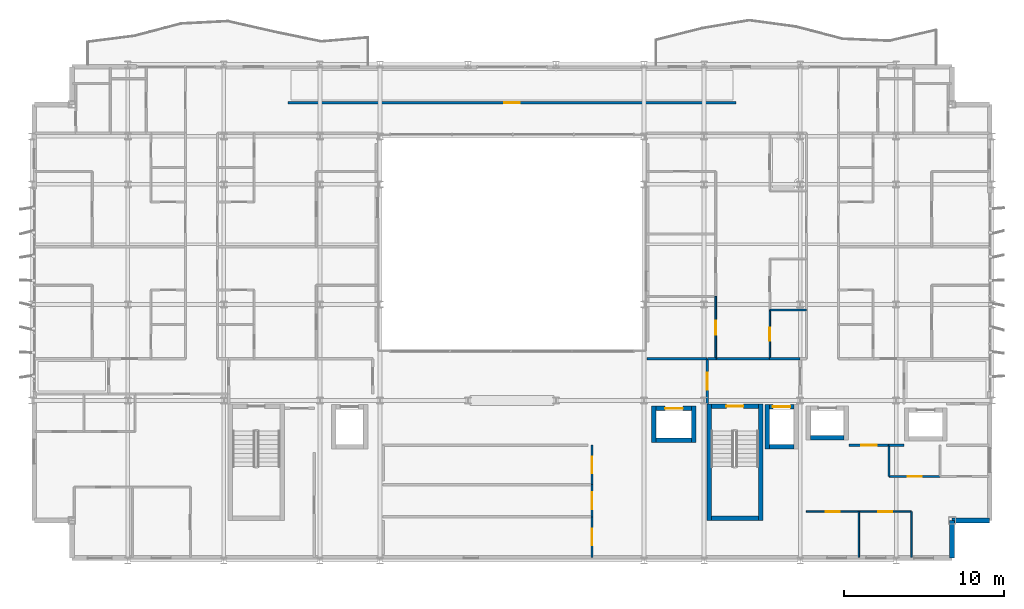
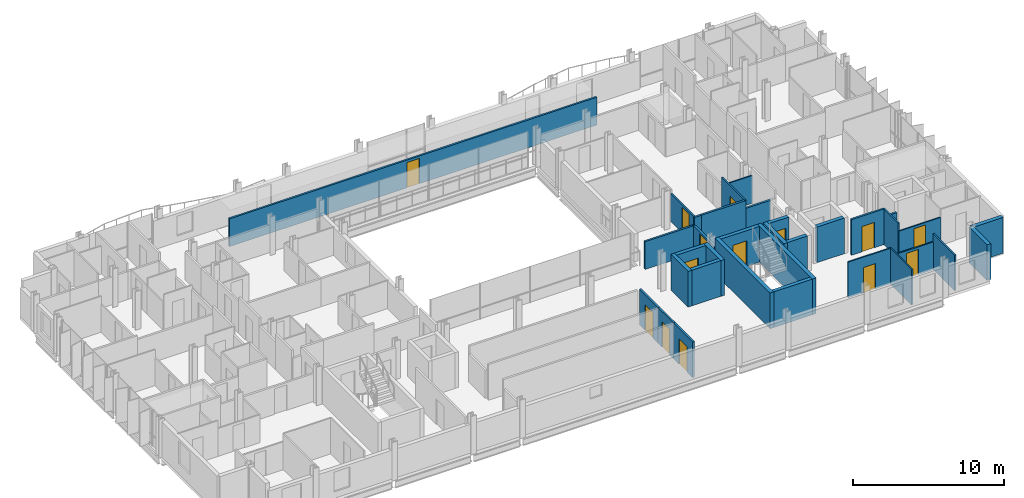
# One storey, part 30 of 39: 34 walls, 14 doors, 14 openings.
"""IFC4 building model written with IfcOpenShell, lengths in metres."""

from ifc_helpers import new_model, si_unit, direction, frame, frame_2d, origin, place, context, subcontext, project, spatial, rectangle, extrude, material, layer, layer_set, type_object, element, fill, save


model = new_model("IFC4")

# Units and contexts
model_context = context("Model", 3, precision=1e-05, world=origin(), true_north=direction((0.0, 1.0)))
body_context = subcontext(model_context, "Body", "Model", "MODEL_VIEW")
ifc_project = project(units=[si_unit("LENGTHUNIT", "METRE"), si_unit("AREAUNIT", "SQUARE_METRE"), si_unit("VOLUMEUNIT", "CUBIC_METRE"), si_unit("PLANEANGLEUNIT", "RADIAN"), si_unit("MASSUNIT", "GRAM", prefix="KILO")], contexts=[model_context])

# Site, building, storey
site_placement = place(None, origin())
site = spatial("IfcSite", under=ifc_project, at=site_placement, CompositionType="ELEMENT")
building_placement = place(site_placement, origin())
building = spatial("IfcBuilding", under=site, at=building_placement, Name="Brevholm Reach", CompositionType="ELEMENT")
storey_placement = place(building_placement, frame((0.0, 0.0, 115.89990234375)))
storey = spatial("IfcBuildingStorey", under=building, at=storey_placement, Name="L34", CompositionType="ELEMENT", Elevation=115.89990234375)

# Walls
ifc_material_1 = material(Name="Concrete C50/60", Category="concrete")
ifc_layer_1 = layer(ifc_material_1, 0.280029296875)
ifc_layer_set_1 = layer_set([ifc_layer_1], Name="Concrete C50/60")
wall_type_1 = type_object("IfcWallType", Name="WAL-COR-280", PredefinedType="SHEAR", material=ifc_layer_set_1)
for number, where, z_axis, x_axis, name in (
    (1, (42.31005859375, 2.5, 0.0), (0.0, 0.0, 1.0), (0.0, 1.0, 0.0), "L34 Escape Stair ST-2 Core Wall W"),
    (2, (45.5400390625, 2.5, 0.0), (0.0, 0.0, 1.0), (0.0, 1.0, 0.0), "L34 Escape Stair ST-2 Core Wall E"),
):
    element("IfcWall", number, at=place(storey_placement, frame(where, z_axis=z_axis, x_axis=x_axis)), inside=storey, type_object=wall_type_1, Name=name, PredefinedType="SHEAR", context=body_context, shape_type="SweptSolid", body=[
        extrude(rectangle(XDim=7.280029296875, YDim=0.280029296875, at=frame_2d((3.64013671875, 0.0))), origin(), (0.0, 0.0, 1.0), 2.880126953125),
    ])
wall_1_placement = place(storey_placement, frame((42.449951171875, 2.639892578125, 0.0), z_axis=(0.0, 0.0, 1.0), x_axis=(1.0, 0.0, 0.0)))
element("IfcWall", 3, at=wall_1_placement, inside=storey, type_object=wall_type_1, Name="L34 Escape Stair ST-2 Core Wall S", PredefinedType="SHEAR", context=body_context, shape_type="SweptSolid", body=[
    extrude(rectangle(XDim=2.949951171875, YDim=0.280029296875, at=frame_2d((1.47509765625, 0.0))), origin(), (0.0, 0.0, 1.0), 2.880126953125),
])

# Wall, opening, door
wall_2_placement = place(storey_placement, frame((45.39990234375, 9.639892578125, 0.0), z_axis=(0.0, 0.0, 1.0), x_axis=(-1.0, 0.0, 0.0)))
wall_2 = element("IfcWall", 4, at=wall_2_placement, inside=storey, type_object=wall_type_1, Name="L34 Escape Stair ST-2 Core Wall N", PredefinedType="SHEAR", context=body_context, shape_type="SweptSolid", body=[
    extrude(rectangle(XDim=2.949951171875, YDim=0.280029296875, at=frame_2d((1.47509765625, 0.0))), origin(), (0.0, 0.0, 1.0), 2.880126953125),
])
opening_1_placement = place(wall_2_placement, frame((0.949951171875, 0.0, 0.0)))
opening_1 = element("IfcOpeningElement", 5, at=opening_1_placement, cuts=wall_2, Name="Opening SD-ST-2", PredefinedType="OPENING", context=body_context, shape_type="SweptSolid", body=[
    extrude(rectangle(XDim=1.050048828125, YDim=2.06005859375, at=frame_2d((0.52490234375, 1.030029296875))), frame((0.0, 0.14990234375, 0.0), z_axis=(0.0, -1.0, 0.0), x_axis=(1.0, 0.0, 0.0)), (0.0, 0.0, 1.0), 0.300048828125),
])
ifc_material_2 = material(Name="Hardwood-Lipped Steel-Core Fire and Smoke Door", Category="steel")
door_type_1 = type_object("IfcDoorType", Name="DOR-INT-FD60S", OperationType="NOTDEFINED", PredefinedType="DOOR", material=ifc_material_2)
door_1_placement = place(opening_1_placement, origin())
door_1 = element("IfcDoor", 6, at=door_1_placement, inside=storey, type_object=door_type_1, Name="L34 Protected Stair ST-2 Lobby Door", OperationType="SINGLE_SWING_LEFT", OverallHeight=2.06005859375, OverallWidth=1.050048828125, PredefinedType="DOOR", context=body_context, shape_type="SweptSolid", body=[
    extrude(rectangle(XDim=1.050048828125, YDim=2.06005859375, at=frame_2d((0.52490234375, 1.030029296875))), frame((0.0, 0.02490234375, 0.0), z_axis=(0.0, -1.0, 0.0), x_axis=(1.0, 0.0, 0.0)), (0.0, 0.0, 1.0), 0.050048828125),
])
fill(opening_1, door_1)

# Walls
wall_3_placement = place(storey_placement, frame((45.949951171875, 6.9599609375, 0.0), z_axis=(0.0, 0.0, 1.0), x_axis=(0.0, 1.0, 0.0)))
element("IfcWall", 7, at=wall_3_placement, inside=storey, type_object=wall_type_1, Name="L34 Lift FFL-2 Shaft Wall W", PredefinedType="SHEAR", context=body_context, shape_type="SweptSolid", body=[
    extrude(rectangle(XDim=2.780029296875, YDim=0.280029296875, at=frame_2d((1.39013671875, 0.0))), origin(), (0.0, 0.0, 1.0), 2.880126953125),
])
wall_4_placement = place(storey_placement, frame((46.090087890625, 7.10009765625, 0.0), z_axis=(0.0, 0.0, 1.0), x_axis=(1.0, 0.0, 0.0)))
element("IfcWall", 8, at=wall_4_placement, inside=storey, type_object=wall_type_1, Name="L34 Lift FFL-2 Shaft Wall S", PredefinedType="SHEAR", context=body_context, shape_type="SweptSolid", body=[
    extrude(rectangle(XDim=1.52001953125, YDim=0.280029296875, at=frame_2d((0.760009765625, 0.0))), origin(), (0.0, 0.0, 1.0), 2.880126953125),
])

# Wall, opening, door
wall_5_placement = place(storey_placement, frame((46.090087890625, 9.60009765625, 0.0), z_axis=(0.0, 0.0, 1.0), x_axis=(1.0, 0.0, 0.0)))
wall_5 = element("IfcWall", 9, at=wall_5_placement, inside=storey, type_object=wall_type_1, Name="L34 Lift FFL-2 Shaft Wall N", PredefinedType="SHEAR", context=body_context, shape_type="SweptSolid", body=[
    extrude(rectangle(XDim=1.52001953125, YDim=0.280029296875, at=frame_2d((0.760009765625, 0.0))), origin(), (0.0, 0.0, 1.0), 2.880126953125),
])
opening_2_placement = place(wall_5_placement, frame((0.2099609375, 0.0, 0.0)))
opening_2 = element("IfcOpeningElement", 10, at=opening_2_placement, cuts=wall_5, Name="Opening LD-FFL-2", PredefinedType="OPENING", context=body_context, shape_type="SweptSolid", body=[
    extrude(rectangle(XDim=1.10009765625, YDim=2.06005859375, at=frame_2d((0.550048828125, 1.030029296875))), frame((0.0, 0.14990234375, 0.0), z_axis=(0.0, -1.0, 0.0), x_axis=(1.0, 0.0, 0.0)), (0.0, 0.0, 1.0), 0.300048828125),
])
ifc_material_3 = material(Name="Brushed Stainless Steel Fire-Rated Sliding Lift Door", Category="steel")
door_type_2 = type_object("IfcDoorType", Name="DOR-LFT-1100", OperationType="NOTDEFINED", PredefinedType="DOOR", material=ifc_material_3)
door_2_placement = place(opening_2_placement, origin())
door_2 = element("IfcDoor", 11, at=door_2_placement, inside=storey, type_object=door_type_2, Name="L34 Lift FFL-2 Sliding Landing Door", OperationType="SLIDING_TO_LEFT", OverallHeight=2.06005859375, OverallWidth=1.10009765625, PredefinedType="DOOR", context=body_context, shape_type="SweptSolid", body=[
    extrude(rectangle(XDim=1.10009765625, YDim=2.06005859375, at=frame_2d((0.550048828125, 1.030029296875))), frame((0.0, 0.02490234375, 0.0), z_axis=(0.0, -1.0, 0.0), x_axis=(1.0, 0.0, 0.0)), (0.0, 0.0, 1.0), 0.050048828125),
])
fill(opening_2, door_2)

# Walls
wall_6_placement = place(storey_placement, frame((48.6650390625, 7.675048828125, 0.0), z_axis=(0.0, 0.0, 1.0), x_axis=(1.0, 0.0, 0.0)))
element("IfcWall", 12, at=wall_6_placement, inside=storey, type_object=wall_type_1, Name="L34 Lift PL-L1 Shaft Wall S", PredefinedType="SHEAR", context=body_context, shape_type="SweptSolid", body=[
    extrude(rectangle(XDim=2.070068359375, YDim=0.280029296875, at=frame_2d((1.03515625, 0.0))), origin(), (0.0, 0.0, 1.0), 2.880126953125),
])
for number, where, z_axis, x_axis, name in (
    (13, (38.8701171875, 7.360107421875, 0.0), (0.0, 0.0, 1.0), (0.0, 1.0, 0.0), "L34 Lift PL-S1 Shaft Wall W"),
    (14, (41.3701171875, 7.360107421875, 0.0), (0.0, 0.0, 1.0), (0.0, 1.0, 0.0), "L34 Lift PL-S1 Shaft Wall E"),
):
    element("IfcWall", number, at=place(storey_placement, frame(where, z_axis=z_axis, x_axis=x_axis)), inside=storey, type_object=wall_type_1, Name=name, PredefinedType="SHEAR", context=body_context, shape_type="SweptSolid", body=[
        extrude(rectangle(XDim=2.27978515625, YDim=0.280029296875, at=frame_2d((1.139892578125, 0.0))), origin(), (0.0, 0.0, 1.0), 2.880126953125),
    ])
wall_7_placement = place(storey_placement, frame((39.010009765625, 7.5, 0.0), z_axis=(0.0, 0.0, 1.0), x_axis=(1.0, 0.0, 0.0)))
element("IfcWall", 15, at=wall_7_placement, inside=storey, type_object=wall_type_1, Name="L34 Lift PL-S1 Shaft Wall S", PredefinedType="SHEAR", context=body_context, shape_type="SweptSolid", body=[
    extrude(rectangle(XDim=2.219970703125, YDim=0.280029296875, at=frame_2d((1.10986328125, 0.0))), origin(), (0.0, 0.0, 1.0), 2.880126953125),
])

# Wall, opening, door
wall_8_placement = place(storey_placement, frame((39.010009765625, 9.5, 0.0), z_axis=(0.0, 0.0, 1.0), x_axis=(1.0, 0.0, 0.0)))
wall_8 = element("IfcWall", 16, at=wall_8_placement, inside=storey, type_object=wall_type_1, Name="L34 Lift PL-S1 Shaft Wall N", PredefinedType="SHEAR", context=body_context, shape_type="SweptSolid", body=[
    extrude(rectangle(XDim=2.219970703125, YDim=0.280029296875, at=frame_2d((1.10986328125, 0.0))), origin(), (0.0, 0.0, 1.0), 2.880126953125),
])
opening_3_placement = place(wall_8_placement, frame((0.56005859375, 0.0, 0.0)))
opening_3 = element("IfcOpeningElement", 17, at=opening_3_placement, cuts=wall_8, Name="Opening LD-PL-S1", PredefinedType="OPENING", context=body_context, shape_type="SweptSolid", body=[
    extrude(rectangle(XDim=1.10009765625, YDim=2.06005859375, at=frame_2d((0.550048828125, 1.030029296875))), frame((0.0, 0.14990234375, 0.0), z_axis=(0.0, -1.0, 0.0), x_axis=(1.0, 0.0, 0.0)), (0.0, 0.0, 1.0), 0.300048828125),
])
door_3_placement = place(opening_3_placement, origin())
door_3 = element("IfcDoor", 18, at=door_3_placement, inside=storey, type_object=door_type_2, Name="L34 Lift PL-S1 Sliding Landing Door", OperationType="SLIDING_TO_RIGHT", OverallHeight=2.06005859375, OverallWidth=1.10009765625, PredefinedType="DOOR", context=body_context, shape_type="SweptSolid", body=[
    extrude(rectangle(XDim=1.10009765625, YDim=2.06005859375, at=frame_2d((0.550048828125, 1.030029296875))), frame((0.0, 0.02490234375, 0.0), z_axis=(0.0, -1.0, 0.0), x_axis=(1.0, 0.0, 0.0)), (0.0, 0.0, 1.0), 0.050048828125),
])
fill(opening_3, door_3)

# Walls
ifc_material_4 = material(Name="Concrete C40/50", Category="concrete")
ifc_layer_2 = layer(ifc_material_4, 0.300048828125)
ifc_layer_set_2 = layer_set([ifc_layer_2], Name="Concrete C40/50")
wall_type_2 = type_object("IfcWallType", Name="WAL-EXT-300", PredefinedType="STANDARD", material=ifc_layer_set_2)
for number, where, z_axis, x_axis, name in (
    (19, (57.5, 0.14990234375, 0.0), (0.0, 0.0, 1.0), (0.0, 1.0, 0.0), "L34 Facade Wall WAL-L34-CSE1"),
    (20, (57.5, 2.5, 0.0), (0.0, 0.0, 1.0), (1.0, 0.0, 0.0), "L34 Facade Wall WAL-L34-CSE2"),
):
    element("IfcWall", number, at=place(storey_placement, frame(where, z_axis=z_axis, x_axis=x_axis)), inside=storey, type_object=wall_type_2, Name=name, PredefinedType="STANDARD", context=body_context, shape_type="SweptSolid", body=[
        extrude(rectangle(XDim=2.35009765625, YDim=0.300048828125, at=frame_2d((1.175048828125, 0.0))), origin(), (0.0, 0.0, 1.0), 2.880126953125),
    ])

# Wall, opening, door
ifc_material_5 = material(Name="Moisture-Resistant Acoustic Gypsum Stud Partition 100 mm", Category="gypsum")
ifc_layer_3 = layer(ifc_material_5, 0.10009765625)
ifc_layer_set_3 = layer_set([ifc_layer_3], Name="Moisture-Resistant Acoustic Gypsum Stud Partition 100 mm")
wall_type_3 = type_object("IfcWallType", Name="WAL-PRT-100", PredefinedType="PARTITIONING", material=ifc_layer_set_3)
wall_9_placement = place(storey_placement, frame((53.55810546875, 5.25, 0.0), z_axis=(0.0, 0.0, 1.0), x_axis=(1.0, 0.0, 0.0)))
wall_9 = element("IfcWall", 21, at=wall_9_placement, inside=storey, type_object=wall_type_3, Name="L34 Internal Partition 081", PredefinedType="PARTITIONING", context=body_context, shape_type="SweptSolid", body=[
    extrude(rectangle(XDim=3.18798828125, YDim=0.10009765625, at=frame_2d((1.593994140625, 0.0))), origin(), (0.0, 0.0, 1.0), 2.242919921875),
])
opening_4_placement = place(wall_9_placement, frame((1.154052734375, 0.0, 0.0)))
opening_4 = element("IfcOpeningElement", 22, at=opening_4_placement, cuts=wall_9, Name="Opening ID-01", PredefinedType="OPENING", context=body_context, shape_type="SweptSolid", body=[
    extrude(rectangle(XDim=0.8798828125, YDim=2.0400390625, at=frame_2d((0.43994140625, 1.02001953125))), frame((0.0, 0.06005859375, 0.0), z_axis=(0.0, -1.0, 0.0), x_axis=(1.0, 0.0, 0.0)), (0.0, 0.0, 1.0), 0.1201171875),
])
ifc_material_6 = material(Name="Lacquered Ash Solid-Core Acoustic Internal Door", Category="timber")
door_type_3 = type_object("IfcDoorType", Name="DOR-INT-880", OperationType="NOTDEFINED", PredefinedType="DOOR", material=ifc_material_6)
door_4_placement = place(opening_4_placement, origin())
door_4 = element("IfcDoor", 23, at=door_4_placement, inside=storey, type_object=door_type_3, Name="L34 Internal Door 029", OperationType="SINGLE_SWING_LEFT", OverallHeight=2.0400390625, OverallWidth=0.8798828125, PredefinedType="DOOR", context=body_context, shape_type="SweptSolid", body=[
    extrude(rectangle(XDim=0.8798828125, YDim=2.0400390625, at=frame_2d((0.43994140625, 1.02001953125))), frame((0.0, 0.02490234375, 0.0), z_axis=(0.0, -1.0, 0.0), x_axis=(1.0, 0.0, 0.0)), (0.0, 0.0, 1.0), 0.050048828125),
])
fill(opening_4, door_4)

# Walls
wall_10_placement = place(storey_placement, frame((53.55810546875, 5.25, 0.0), z_axis=(0.0, 0.0, 1.0), x_axis=(0.0, 1.0, 0.0)))
element("IfcWall", 24, at=wall_10_placement, inside=storey, type_object=wall_type_3, Name="L34 Internal Partition 082", PredefinedType="PARTITIONING", context=body_context, shape_type="SweptSolid", body=[
    extrude(rectangle(XDim=1.946044921875, YDim=0.10009765625, at=frame_2d((0.97314453125, 0.0))), origin(), (0.0, 0.0, 1.0), 2.880126953125),
])
wall_11_placement = place(storey_placement, frame((51.675048828125, 0.199951171875, 0.0), z_axis=(0.0, 0.0, 1.0), x_axis=(0.0, 1.0, 0.0)))
element("IfcWall", 25, at=wall_11_placement, inside=storey, type_object=wall_type_3, Name="L34 Internal Partition 083", PredefinedType="PARTITIONING", context=body_context, shape_type="SweptSolid", body=[
    extrude(rectangle(XDim=2.85009765625, YDim=0.10009765625, at=frame_2d((1.425048828125, 0.0))), origin(), (0.0, 0.0, 1.0), 2.880126953125),
])

# Wall, opening, door
wall_12_placement = place(storey_placement, frame((48.39990234375, 3.050048828125, 0.0), z_axis=(0.0, 0.0, 1.0), x_axis=(1.0, 0.0, 0.0)))
wall_12 = element("IfcWall", 26, at=wall_12_placement, inside=storey, type_object=wall_type_3, Name="L34 Internal Partition 084", PredefinedType="PARTITIONING", context=body_context, shape_type="SweptSolid", body=[
    extrude(rectangle(XDim=3.275146484375, YDim=0.10009765625, at=frame_2d((1.6376953125, 0.0))), origin(), (0.0, 0.0, 1.0), 2.880126953125),
])
opening_5_placement = place(wall_12_placement, frame((1.197509765625, 0.0, 0.0)))
opening_5 = element("IfcOpeningElement", 27, at=opening_5_placement, cuts=wall_12, Name="Opening ID-01", PredefinedType="OPENING", context=body_context, shape_type="SweptSolid", body=[
    extrude(rectangle(XDim=0.8798828125, YDim=2.0400390625, at=frame_2d((0.43994140625, 1.02001953125))), frame((0.0, 0.06005859375, 0.0), z_axis=(0.0, -1.0, 0.0), x_axis=(1.0, 0.0, 0.0)), (0.0, 0.0, 1.0), 0.1201171875),
])
door_5_placement = place(opening_5_placement, origin())
door_5 = element("IfcDoor", 28, at=door_5_placement, inside=storey, type_object=door_type_3, Name="L34 Internal Door 030", OperationType="SINGLE_SWING_RIGHT", OverallHeight=2.0400390625, OverallWidth=0.8798828125, PredefinedType="DOOR", context=body_context, shape_type="SweptSolid", body=[
    extrude(rectangle(XDim=0.8798828125, YDim=2.0400390625, at=frame_2d((0.43994140625, 1.02001953125))), frame((0.0, 0.02490234375, 0.0), z_axis=(0.0, -1.0, 0.0), x_axis=(1.0, 0.0, 0.0)), (0.0, 0.0, 1.0), 0.050048828125),
])
fill(opening_5, door_5)

# Wall
wall_13_placement = place(storey_placement, frame((54.949951171875, 0.199951171875, 0.0), z_axis=(0.0, 0.0, 1.0), x_axis=(0.0, 1.0, 0.0)))
element("IfcWall", 29, at=wall_13_placement, inside=storey, type_object=wall_type_3, Name="L34 Internal Partition 085", PredefinedType="PARTITIONING", context=body_context, shape_type="SweptSolid", body=[
    extrude(rectangle(XDim=2.85009765625, YDim=0.10009765625, at=frame_2d((1.425048828125, 0.0))), origin(), (0.0, 0.0, 1.0), 2.880126953125),
])

# Wall, opening, door
wall_14_placement = place(storey_placement, frame((51.678955078125, 3.050048828125, 0.0), z_axis=(0.0, 0.0, 1.0), x_axis=(1.0, 0.0, 0.0)))
wall_14 = element("IfcWall", 30, at=wall_14_placement, inside=storey, type_object=wall_type_3, Name="L34 Internal Partition 086", PredefinedType="PARTITIONING", context=body_context, shape_type="SweptSolid", body=[
    extrude(rectangle(XDim=3.27099609375, YDim=0.10009765625, at=frame_2d((1.635498046875, 0.0))), origin(), (0.0, 0.0, 1.0), 2.242919921875),
])
opening_6_placement = place(wall_14_placement, frame((1.195556640625, 0.0, 0.0)))
opening_6 = element("IfcOpeningElement", 31, at=opening_6_placement, cuts=wall_14, Name="Opening ID-01", PredefinedType="OPENING", context=body_context, shape_type="SweptSolid", body=[
    extrude(rectangle(XDim=0.8798828125, YDim=2.0400390625, at=frame_2d((0.43994140625, 1.02001953125))), frame((0.0, 0.06005859375, 0.0), z_axis=(0.0, -1.0, 0.0), x_axis=(1.0, 0.0, 0.0)), (0.0, 0.0, 1.0), 0.1201171875),
])
door_6_placement = place(opening_6_placement, origin())
door_6 = element("IfcDoor", 32, at=door_6_placement, inside=storey, type_object=door_type_3, Name="L34 Internal Door 031", OperationType="SINGLE_SWING_LEFT", OverallHeight=2.0400390625, OverallWidth=0.8798828125, PredefinedType="DOOR", context=body_context, shape_type="SweptSolid", body=[
    extrude(rectangle(XDim=0.8798828125, YDim=2.0400390625, at=frame_2d((0.43994140625, 1.02001953125))), frame((0.0, 0.02490234375, 0.0), z_axis=(0.0, -1.0, 0.0), x_axis=(1.0, 0.0, 0.0)), (0.0, 0.0, 1.0), 0.050048828125),
])
fill(opening_6, door_6)

# Wall
wall_15_placement = place(storey_placement, frame((46.112060546875, 15.64990234375, 0.0), z_axis=(0.0, 0.0, 1.0), x_axis=(1.0, 0.0, 0.0)))
element("IfcWall", 33, at=wall_15_placement, inside=storey, type_object=wall_type_3, Name="L34 Internal Partition 120", PredefinedType="PARTITIONING", context=body_context, shape_type="SweptSolid", body=[
    extrude(rectangle(XDim=2.283935546875, YDim=0.10009765625, at=frame_2d((1.14208984375, 0.0))), origin(), (0.0, 0.0, 1.0), 2.242919921875),
])

# Wall, opening, door
wall_16_placement = place(storey_placement, frame((46.112060546875, 12.60400390625, 0.0), z_axis=(0.0, 0.0, 1.0), x_axis=(0.0, 1.0, 0.0)))
wall_16 = element("IfcWall", 34, at=wall_16_placement, inside=storey, type_object=wall_type_3, Name="L34 Internal Partition 121", PredefinedType="PARTITIONING", context=body_context, shape_type="SweptSolid", body=[
    extrude(rectangle(XDim=3.0458984375, YDim=0.10009765625, at=frame_2d((1.52294921875, 0.0))), origin(), (0.0, 0.0, 1.0), 2.880126953125),
])
opening_7_placement = place(wall_16_placement, frame((1.113037109375, 0.0, 0.0)))
opening_7 = element("IfcOpeningElement", 35, at=opening_7_placement, cuts=wall_16, Name="Opening ID-03", PredefinedType="OPENING", context=body_context, shape_type="SweptSolid", body=[
    extrude(rectangle(XDim=0.820068359375, YDim=2.02001953125, at=frame_2d((0.41015625, 1.010009765625))), frame((0.0, 0.06005859375, 0.0), z_axis=(0.0, -1.0, 0.0), x_axis=(1.0, 0.0, 0.0)), (0.0, 0.0, 1.0), 0.1201171875),
])
ifc_material_7 = material(Name="Moisture-Resistant Painted Timber Internal Bathroom Door", Category="wood")
door_type_4 = type_object("IfcDoorType", Name="DOR-BATH-820", OperationType="NOTDEFINED", PredefinedType="DOOR", material=ifc_material_7)
door_7_placement = place(opening_7_placement, origin())
door_7 = element("IfcDoor", 36, at=door_7_placement, inside=storey, type_object=door_type_4, Name="L34 Internal Door 044", OperationType="SINGLE_SWING_RIGHT", OverallHeight=2.02001953125, OverallWidth=0.820068359375, PredefinedType="DOOR", context=body_context, shape_type="SweptSolid", body=[
    extrude(rectangle(XDim=0.820068359375, YDim=2.02001953125, at=frame_2d((0.41015625, 1.010009765625))), frame((0.0, 0.02490234375, 0.0), z_axis=(0.0, -1.0, 0.0), x_axis=(1.0, 0.0, 0.0)), (0.0, 0.0, 1.0), 0.050048828125),
])
fill(opening_7, door_7)

wall_17_placement = place(storey_placement, frame((42.72802734375, 12.60400390625, 0.0), z_axis=(0.0, 0.0, 1.0), x_axis=(0.0, 1.0, 0.0)))
wall_17 = element("IfcWall", 37, at=wall_17_placement, inside=storey, type_object=wall_type_3, Name="L34 Internal Partition 127", PredefinedType="PARTITIONING", context=body_context, shape_type="SweptSolid", body=[
    extrude(rectangle(XDim=3.89599609375, YDim=0.10009765625, at=frame_2d((1.947998046875, 0.0))), origin(), (0.0, 0.0, 1.0), 2.242919921875),
])
opening_8_placement = place(wall_17_placement, frame((1.508056640625, 0.0, 0.0)))
opening_8 = element("IfcOpeningElement", 38, at=opening_8_placement, cuts=wall_17, Name="Opening ID-01", PredefinedType="OPENING", context=body_context, shape_type="SweptSolid", body=[
    extrude(rectangle(XDim=0.8798828125, YDim=2.0400390625, at=frame_2d((0.43994140625, 1.02001953125))), frame((0.0, 0.06005859375, 0.0), z_axis=(0.0, -1.0, 0.0), x_axis=(1.0, 0.0, 0.0)), (0.0, 0.0, 1.0), 0.1201171875),
])
door_8_placement = place(opening_8_placement, origin())
door_8 = element("IfcDoor", 39, at=door_8_placement, inside=storey, type_object=door_type_3, Name="L34 Internal Door 047", OperationType="SINGLE_SWING_LEFT", OverallHeight=2.0400390625, OverallWidth=0.8798828125, PredefinedType="DOOR", context=body_context, shape_type="SweptSolid", body=[
    extrude(rectangle(XDim=0.8798828125, YDim=2.0400390625, at=frame_2d((0.43994140625, 1.02001953125))), frame((0.0, 0.02490234375, 0.0), z_axis=(0.0, -1.0, 0.0), x_axis=(1.0, 0.0, 0.0)), (0.0, 0.0, 1.0), 0.050048828125),
])
fill(opening_8, door_8)

ifc_material_8 = material(Name="Twin-Stud Acoustic Fire-Rated Gypsum Partition 140 mm", Category="gypsum")
ifc_layer_4 = layer(ifc_material_8, 0.139892578125)
ifc_layer_set_4 = layer_set([ifc_layer_4], Name="Twin-Stud Acoustic Fire-Rated Gypsum Partition 140 mm")
wall_type_4 = type_object("IfcWallType", Name="WAL-PRT-140", PredefinedType="PARTITIONING", material=ifc_layer_set_4)
wall_18_placement = place(storey_placement, frame((35.0, 0.179931640625, 0.0), z_axis=(0.0, 0.0, 1.0), x_axis=(0.0, 1.0, 0.0)))
wall_18 = element("IfcWall", 40, at=wall_18_placement, inside=storey, type_object=wall_type_4, Name="L34 Internal Partition 001", PredefinedType="PARTITIONING", context=body_context, shape_type="SweptSolid", body=[
    extrude(rectangle(XDim=2.568359375, YDim=0.139892578125, at=frame_2d((1.2841796875, 0.0))), origin(), (0.0, 0.0, 1.0), 2.880126953125),
])
opening_9_placement = place(wall_18_placement, frame((0.759033203125, 0.0, 0.0)))
opening_9 = element("IfcOpeningElement", 41, at=opening_9_placement, cuts=wall_18, Name="Opening FD-01", PredefinedType="OPENING", context=body_context, shape_type="SweptSolid", body=[
    extrude(rectangle(XDim=1.050048828125, YDim=2.06005859375, at=frame_2d((0.52490234375, 1.030029296875))), frame((0.0, 0.079833984375, 0.0), z_axis=(0.0, -1.0, 0.0), x_axis=(1.0, 0.0, 0.0)), (0.0, 0.0, 1.0), 0.159912109375),
])
door_9_placement = place(opening_9_placement, origin())
door_9 = element("IfcDoor", 42, at=door_9_placement, inside=storey, type_object=door_type_1, Name="L34 Internal Door 001", OperationType="SINGLE_SWING_LEFT", OverallHeight=2.06005859375, OverallWidth=1.050048828125, PredefinedType="DOOR", context=body_context, shape_type="SweptSolid", body=[
    extrude(rectangle(XDim=1.050048828125, YDim=2.06005859375, at=frame_2d((0.52490234375, 1.030029296875))), frame((0.0, 0.02490234375, 0.0), z_axis=(0.0, -1.0, 0.0), x_axis=(1.0, 0.0, 0.0)), (0.0, 0.0, 1.0), 0.050048828125),
])
fill(opening_9, door_9)

wall_19_placement = place(storey_placement, frame((35.0, 2.729736328125, 0.0), z_axis=(0.0, 0.0, 1.0), x_axis=(0.0, 1.0, 0.0)))
wall_19 = element("IfcWall", 43, at=wall_19_placement, inside=storey, type_object=wall_type_4, Name="L34 Internal Partition 002", PredefinedType="PARTITIONING", context=body_context, shape_type="SweptSolid", body=[
    extrude(rectangle(XDim=2.0224609375, YDim=0.139892578125, at=frame_2d((1.01123046875, 0.0))), origin(), (0.0, 0.0, 1.0), 2.880126953125),
])
opening_10_placement = place(wall_19_placement, frame((0.486328125, 0.0, 0.0)))
opening_10 = element("IfcOpeningElement", 44, at=opening_10_placement, cuts=wall_19, Name="Opening FD-01", PredefinedType="OPENING", context=body_context, shape_type="SweptSolid", body=[
    extrude(rectangle(XDim=1.050048828125, YDim=2.06005859375, at=frame_2d((0.52490234375, 1.030029296875))), frame((0.0, 0.079833984375, 0.0), z_axis=(0.0, -1.0, 0.0), x_axis=(1.0, 0.0, 0.0)), (0.0, 0.0, 1.0), 0.159912109375),
])
door_10_placement = place(opening_10_placement, origin())
door_10 = element("IfcDoor", 45, at=door_10_placement, inside=storey, type_object=door_type_1, Name="L34 Internal Door 002", OperationType="SINGLE_SWING_RIGHT", OverallHeight=2.06005859375, OverallWidth=1.050048828125, PredefinedType="DOOR", context=body_context, shape_type="SweptSolid", body=[
    extrude(rectangle(XDim=1.050048828125, YDim=2.06005859375, at=frame_2d((0.52490234375, 1.030029296875))), frame((0.0, 0.02490234375, 0.0), z_axis=(0.0, -1.0, 0.0), x_axis=(1.0, 0.0, 0.0)), (0.0, 0.0, 1.0), 0.050048828125),
])
fill(opening_10, door_10)

wall_20_placement = place(storey_placement, frame((35.0, 4.733642578125, 0.0), z_axis=(0.0, 0.0, 1.0), x_axis=(0.0, 1.0, 0.0)))
wall_20 = element("IfcWall", 46, at=wall_20_placement, inside=storey, type_object=wall_type_4, Name="L34 Internal Partition 003", PredefinedType="PARTITIONING", context=body_context, shape_type="SweptSolid", body=[
    extrude(rectangle(XDim=2.4775390625, YDim=0.139892578125, at=frame_2d((1.23876953125, 0.0))), origin(), (0.0, 0.0, 1.0), 2.880126953125),
])
opening_11_placement = place(wall_20_placement, frame((0.7138671875, 0.0, 0.0)))
opening_11 = element("IfcOpeningElement", 47, at=opening_11_placement, cuts=wall_20, Name="Opening FD-01", PredefinedType="OPENING", context=body_context, shape_type="SweptSolid", body=[
    extrude(rectangle(XDim=1.050048828125, YDim=2.06005859375, at=frame_2d((0.52490234375, 1.030029296875))), frame((0.0, 0.079833984375, 0.0), z_axis=(0.0, -1.0, 0.0), x_axis=(1.0, 0.0, 0.0)), (0.0, 0.0, 1.0), 0.159912109375),
])
door_11_placement = place(opening_11_placement, origin())
door_11 = element("IfcDoor", 48, at=door_11_placement, inside=storey, type_object=door_type_1, Name="L34 Internal Door 003", OperationType="SINGLE_SWING_LEFT", OverallHeight=2.06005859375, OverallWidth=1.050048828125, PredefinedType="DOOR", context=body_context, shape_type="SweptSolid", body=[
    extrude(rectangle(XDim=1.050048828125, YDim=2.06005859375, at=frame_2d((0.52490234375, 1.030029296875))), frame((0.0, 0.02490234375, 0.0), z_axis=(0.0, -1.0, 0.0), x_axis=(1.0, 0.0, 0.0)), (0.0, 0.0, 1.0), 0.050048828125),
])
fill(opening_11, door_11)

# Wall
wall_21_placement = place(storey_placement, frame((53.546630859375, 7.199951171875, 0.0), z_axis=(0.0, 0.0, 1.0), x_axis=(1.0, 0.0, 0.0)))
element("IfcWall", 49, at=wall_21_placement, inside=storey, type_object=wall_type_4, Name="L34 Internal Partition 009", PredefinedType="PARTITIONING", context=body_context, shape_type="SweptSolid", body=[
    extrude(rectangle(XDim=0.953369140625, YDim=0.139892578125, at=frame_2d((0.4765625, 0.0))), origin(), (0.0, 0.0, 1.0), 2.242919921875),
])

# Wall, opening, door
wall_22_placement = place(storey_placement, frame((51.050048828125, 7.199951171875, 0.0), z_axis=(0.0, 0.0, 1.0), x_axis=(1.0, 0.0, 0.0)))
wall_22 = element("IfcWall", 50, at=wall_22_placement, inside=storey, type_object=wall_type_4, Name="L34 Internal Partition 010", PredefinedType="PARTITIONING", context=body_context, shape_type="SweptSolid", body=[
    extrude(rectangle(XDim=2.51513671875, YDim=0.139892578125, at=frame_2d((1.257568359375, 0.0))), origin(), (0.0, 0.0, 1.0), 2.880126953125),
])
opening_12_placement = place(wall_22_placement, frame((0.78271484375, 0.0, 0.0)))
opening_12 = element("IfcOpeningElement", 51, at=opening_12_placement, cuts=wall_22, Name="Opening ID-30", PredefinedType="OPENING", context=body_context, shape_type="SweptSolid", body=[
    extrude(rectangle(XDim=0.949951171875, YDim=2.050048828125, at=frame_2d((0.47509765625, 1.02490234375))), frame((0.0, 0.079833984375, 0.0), z_axis=(0.0, -1.0, 0.0), x_axis=(1.0, 0.0, 0.0)), (0.0, 0.0, 1.0), 0.159912109375),
])
ifc_material_9 = material(Name="European Oak Veneered Solid-Core Fire Entrance Door", Category="timber")
door_type_5 = type_object("IfcDoorType", Name="DOR-FLT-FD30S", OperationType="NOTDEFINED", PredefinedType="DOOR", material=ifc_material_9)
door_12_placement = place(opening_12_placement, origin())
door_12 = element("IfcDoor", 52, at=door_12_placement, inside=storey, type_object=door_type_5, Name="L34 Internal Door 007", OperationType="SINGLE_SWING_LEFT", OverallHeight=2.050048828125, OverallWidth=0.949951171875, PredefinedType="DOOR", context=body_context, shape_type="SweptSolid", body=[
    extrude(rectangle(XDim=0.949951171875, YDim=2.050048828125, at=frame_2d((0.47509765625, 1.02490234375))), frame((0.0, 0.02490234375, 0.0), z_axis=(0.0, -1.0, 0.0), x_axis=(1.0, 0.0, 0.0)), (0.0, 0.0, 1.0), 0.050048828125),
])
fill(opening_12, door_12)

# Wall
wall_23_placement = place(storey_placement, frame((38.438720703125, 12.60009765625, 0.0), z_axis=(0.0, 0.0, 1.0), x_axis=(1.0, 0.0, 0.0)))
element("IfcWall", 53, at=wall_23_placement, inside=storey, type_object=wall_type_4, Name="L34 Internal Partition 030", PredefinedType="PARTITIONING", context=body_context, shape_type="SweptSolid", body=[
    extrude(rectangle(XDim=3.75732421875, YDim=0.139892578125, at=frame_2d((1.878662109375, 0.0))), origin(), (0.0, 0.0, 1.0), 2.242919921875),
])

# Wall, opening, door
wall_24_placement = place(storey_placement, frame((15.98876953125, 28.60009765625, 0.0), z_axis=(0.0, 0.0, 1.0), x_axis=(1.0, 0.0, 0.0)))
wall_24 = element("IfcWall", 54, at=wall_24_placement, inside=storey, type_object=wall_type_4, Name="L34 Internal Partition 061", PredefinedType="PARTITIONING", context=body_context, shape_type="SweptSolid", body=[
    extrude(rectangle(XDim=28.0224609375, YDim=0.139892578125, at=frame_2d((14.01123046875, 0.0))), origin(), (0.0, 0.0, 1.0), 2.242919921875),
])
opening_13_placement = place(wall_24_placement, frame((13.536376953125, 0.0, 0.0)))
opening_13 = element("IfcOpeningElement", 55, at=opening_13_placement, cuts=wall_24, Name="Opening ID-30", PredefinedType="OPENING", context=body_context, shape_type="SweptSolid", body=[
    extrude(rectangle(XDim=0.949951171875, YDim=2.050048828125, at=frame_2d((0.47509765625, 1.02490234375))), frame((0.0, 0.079833984375, 0.0), z_axis=(0.0, -1.0, 0.0), x_axis=(1.0, 0.0, 0.0)), (0.0, 0.0, 1.0), 0.159912109375),
])
door_13_placement = place(opening_13_placement, origin())
door_13 = element("IfcDoor", 56, at=door_13_placement, inside=storey, type_object=door_type_5, Name="L34 Internal Door 023", OperationType="SINGLE_SWING_LEFT", OverallHeight=2.050048828125, OverallWidth=0.949951171875, PredefinedType="DOOR", context=body_context, shape_type="SweptSolid", body=[
    extrude(rectangle(XDim=0.949951171875, YDim=2.050048828125, at=frame_2d((0.47509765625, 1.02490234375))), frame((0.0, 0.02490234375, 0.0), z_axis=(0.0, -1.0, 0.0), x_axis=(1.0, 0.0, 0.0)), (0.0, 0.0, 1.0), 0.050048828125),
])
fill(opening_13, door_13)

ifc_material_10 = material(Name="Twin-Frame Fire-Rated Gypsum Board and Mineral Wool 160 mm", Category="gypsum")
ifc_layer_5 = layer(ifc_material_10, 0.159912109375)
ifc_layer_set_5 = layer_set([ifc_layer_5], Name="Twin-Frame Fire-Rated Gypsum Board and Mineral Wool 160 mm")
wall_type_5 = type_object("IfcWallType", Name="WAL-PRT-160", PredefinedType="PARTITIONING", material=ifc_layer_set_5)
wall_25_placement = place(storey_placement, frame((42.199951171875, 9.7900390625, 0.0), z_axis=(0.0, 0.0, 1.0), x_axis=(0.0, 1.0, 0.0)))
wall_25 = element("IfcWall", 57, at=wall_25_placement, inside=storey, type_object=wall_type_5, Name="L34 Internal Partition 019", PredefinedType="PARTITIONING", context=body_context, shape_type="SweptSolid", body=[
    extrude(rectangle(XDim=2.81005859375, YDim=0.159912109375, at=frame_2d((1.405029296875, 0.0))), origin(), (0.0, 0.0, 1.0), 2.242919921875),
])
opening_14_placement = place(wall_25_placement, frame((0.8798828125, 0.0, 0.0)))
opening_14 = element("IfcOpeningElement", 58, at=opening_14_placement, cuts=wall_25, Name="Opening FD-01", PredefinedType="OPENING", context=body_context, shape_type="SweptSolid", body=[
    extrude(rectangle(XDim=1.050048828125, YDim=2.06005859375, at=frame_2d((0.52490234375, 1.030029296875))), frame((0.0, 0.08984375, 0.0), z_axis=(0.0, -1.0, 0.0), x_axis=(1.0, 0.0, 0.0)), (0.0, 0.0, 1.0), 0.179931640625),
])
door_14_placement = place(opening_14_placement, origin())
door_14 = element("IfcDoor", 59, at=door_14_placement, inside=storey, type_object=door_type_1, Name="L34 Internal Door 011", OperationType="SINGLE_SWING_LEFT", OverallHeight=2.06005859375, OverallWidth=1.050048828125, PredefinedType="DOOR", context=body_context, shape_type="SweptSolid", body=[
    extrude(rectangle(XDim=1.050048828125, YDim=2.06005859375, at=frame_2d((0.52490234375, 1.030029296875))), frame((0.0, 0.02490234375, 0.0), z_axis=(0.0, -1.0, 0.0), x_axis=(1.0, 0.0, 0.0)), (0.0, 0.0, 1.0), 0.050048828125),
])
fill(opening_14, door_14)

# Walls
wall_26_placement = place(storey_placement, frame((46.1005859375, 12.60009765625, 0.0), z_axis=(0.0, 0.0, 1.0), x_axis=(1.0, 0.0, 0.0)))
element("IfcWall", 60, at=wall_26_placement, inside=storey, type_object=wall_type_5, Name="L34 Internal Partition 021", PredefinedType="PARTITIONING", context=body_context, shape_type="SweptSolid", body=[
    extrude(rectangle(XDim=1.8994140625, YDim=0.159912109375, at=frame_2d((0.94970703125, 0.0))), origin(), (0.0, 0.0, 1.0), 2.242919921875),
])
wall_27_placement = place(storey_placement, frame((42.199951171875, 12.60009765625, 0.0), z_axis=(0.0, 0.0, 1.0), x_axis=(1.0, 0.0, 0.0)))
element("IfcWall", 61, at=wall_27_placement, inside=storey, type_object=wall_type_5, Name="L34 Internal Partition 022", PredefinedType="PARTITIONING", context=body_context, shape_type="SweptSolid", body=[
    extrude(rectangle(XDim=0.539306640625, YDim=0.159912109375, at=frame_2d((0.26953125, 0.0))), origin(), (0.0, 0.0, 1.0), 2.880126953125),
])
wall_28_placement = place(storey_placement, frame((42.720703125, 12.60009765625, 0.0), z_axis=(0.0, 0.0, 1.0), x_axis=(1.0, 0.0, 0.0)))
element("IfcWall", 62, at=wall_28_placement, inside=storey, type_object=wall_type_5, Name="L34 Internal Partition 023", PredefinedType="PARTITIONING", context=body_context, shape_type="SweptSolid", body=[
    extrude(rectangle(XDim=3.398681640625, YDim=0.159912109375, at=frame_2d((1.69921875, 0.0))), origin(), (0.0, 0.0, 1.0), 2.880126953125),
])

save(model, "model.ifc")
